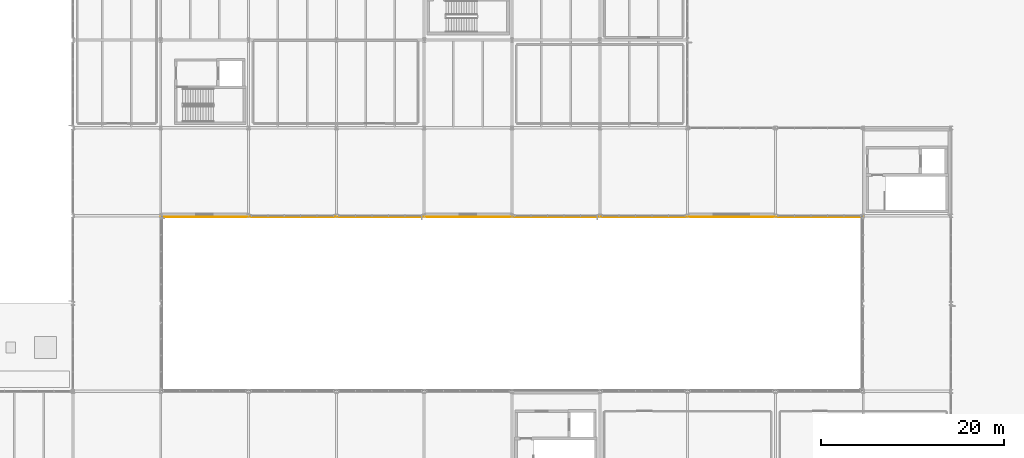
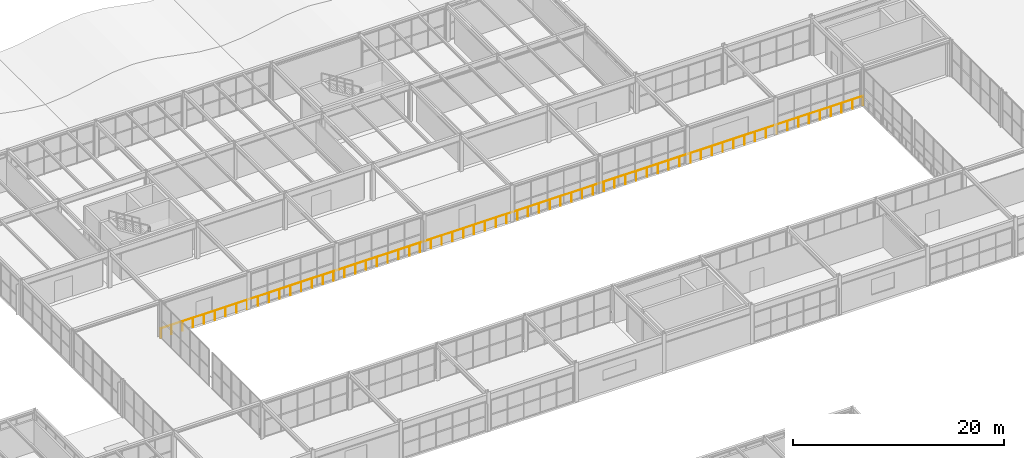
# One storey, part 166 of 170: 1 railing.
"""IFC4 building model written with IfcOpenShell, lengths in metres."""

from ifc_helpers import new_model, si_unit, direction, frame, origin, origin_2d, place, context, subcontext, project, spatial, circle, extrude, material, type_object, element, save


model = new_model("IFC4")

# Units and contexts
model_context = context("Model", 3, precision=1e-05, world=origin(), true_north=direction((0.0, 1.0)))
body_context = subcontext(model_context, "Body", "Model", "MODEL_VIEW")
ifc_project = project(units=[si_unit("LENGTHUNIT", "METRE"), si_unit("AREAUNIT", "SQUARE_METRE"), si_unit("VOLUMEUNIT", "CUBIC_METRE"), si_unit("PLANEANGLEUNIT", "RADIAN"), si_unit("MASSUNIT", "GRAM", prefix="KILO")], contexts=[model_context])

# Site, building, storey
site_placement = place(None, origin())
site = spatial("IfcSite", under=ifc_project, at=site_placement, CompositionType="ELEMENT")
building_placement = place(site_placement, origin())
building = spatial("IfcBuilding", under=site, at=building_placement, Name="Coralgate Yard Interchange", CompositionType="ELEMENT")
storey_placement = place(building_placement, frame((0.0, 0.0, 6.0)))
storey = spatial("IfcBuildingStorey", under=building, at=storey_placement, Name="L01", CompositionType="ELEMENT", Elevation=6.0)

# Railing
ifc_material = material(Name="Grade 316 marine stainless steel and toughened glass balustrade", Category="steel")
railing_type = type_object("IfcRailingType", Name="RLG-GD1100", PredefinedType="BALUSTRADE", material=ifc_material)
railing_placement = place(storey_placement, frame((48.0, 67.080078125, 0.0)))
element("IfcRailing", 1, at=railing_placement, inside=storey, type_object=railing_type, Name="L01 concourse mezzanine north balustrade", PredefinedType="BALUSTRADE", context=body_context, shape_type="SweptSolid", body=[
    extrude(circle(Radius=0.02392578125, at=origin_2d()), frame((0.0, 0.0, 1.0810546875), z_axis=(1.0, 0.0, 0.0), x_axis=(0.0, 1.0, 0.0)), (0.0, 0.0, 1.0), 76.800048828125),
    extrude(circle(Radius=0.02099609375, at=origin_2d()), origin(), (0.0, 0.0, 1.0), 1.056396484375),
    extrude(circle(Radius=0.02099609375, at=origin_2d()), frame((1.181640625, 0.0, 0.0)), (0.0, 0.0, 1.0), 1.056396484375),
    extrude(circle(Radius=0.02099609375, at=origin_2d()), frame((2.363037109375, 0.0, 0.0)), (0.0, 0.0, 1.0), 1.056396484375),
    extrude(circle(Radius=0.02099609375, at=origin_2d()), frame((3.544677734375, 0.0, 0.0)), (0.0, 0.0, 1.0), 1.056396484375),
    extrude(circle(Radius=0.02099609375, at=origin_2d()), frame((4.72607421875, 0.0, 0.0)), (0.0, 0.0, 1.0), 1.056396484375),
    extrude(circle(Radius=0.02099609375, at=origin_2d()), frame((5.90771484375, 0.0, 0.0)), (0.0, 0.0, 1.0), 1.056396484375),
    extrude(circle(Radius=0.02099609375, at=origin_2d()), frame((7.08935546875, 0.0, 0.0)), (0.0, 0.0, 1.0), 1.056396484375),
    extrude(circle(Radius=0.02099609375, at=origin_2d()), frame((8.270751953125, 0.0, 0.0)), (0.0, 0.0, 1.0), 1.056396484375),
    extrude(circle(Radius=0.02099609375, at=origin_2d()), frame((9.452392578125, 0.0, 0.0)), (0.0, 0.0, 1.0), 1.056396484375),
    extrude(circle(Radius=0.02099609375, at=origin_2d()), frame((10.6337890625, 0.0, 0.0)), (0.0, 0.0, 1.0), 1.056396484375),
    extrude(circle(Radius=0.02099609375, at=origin_2d()), frame((11.8154296875, 0.0, 0.0)), (0.0, 0.0, 1.0), 1.056396484375),
    extrude(circle(Radius=0.02099609375, at=origin_2d()), frame((12.996826171875, 0.0, 0.0)), (0.0, 0.0, 1.0), 1.056396484375),
    extrude(circle(Radius=0.02099609375, at=origin_2d()), frame((14.178466796875, 0.0, 0.0)), (0.0, 0.0, 1.0), 1.056396484375),
    extrude(circle(Radius=0.02099609375, at=origin_2d()), frame((15.360107421875, 0.0, 0.0)), (0.0, 0.0, 1.0), 1.056396484375),
    extrude(circle(Radius=0.02099609375, at=origin_2d()), frame((16.54150390625, 0.0, 0.0)), (0.0, 0.0, 1.0), 1.056396484375),
    extrude(circle(Radius=0.02099609375, at=origin_2d()), frame((17.72314453125, 0.0, 0.0)), (0.0, 0.0, 1.0), 1.056396484375),
    extrude(circle(Radius=0.02099609375, at=origin_2d()), frame((18.904541015625, 0.0, 0.0)), (0.0, 0.0, 1.0), 1.056396484375),
    extrude(circle(Radius=0.02099609375, at=origin_2d()), frame((20.086181640625, 0.0, 0.0)), (0.0, 0.0, 1.0), 1.056396484375),
    extrude(circle(Radius=0.02099609375, at=origin_2d()), frame((21.267822265625, 0.0, 0.0)), (0.0, 0.0, 1.0), 1.056396484375),
    extrude(circle(Radius=0.02099609375, at=origin_2d()), frame((22.44921875, 0.0, 0.0)), (0.0, 0.0, 1.0), 1.056396484375),
    extrude(circle(Radius=0.02099609375, at=origin_2d()), frame((23.630859375, 0.0, 0.0)), (0.0, 0.0, 1.0), 1.056396484375),
    extrude(circle(Radius=0.02099609375, at=origin_2d()), frame((24.812255859375, 0.0, 0.0)), (0.0, 0.0, 1.0), 1.056396484375),
    extrude(circle(Radius=0.02099609375, at=origin_2d()), frame((25.993896484375, 0.0, 0.0)), (0.0, 0.0, 1.0), 1.056396484375),
    extrude(circle(Radius=0.02099609375, at=origin_2d()), frame((27.17529296875, 0.0, 0.0)), (0.0, 0.0, 1.0), 1.056396484375),
    extrude(circle(Radius=0.02099609375, at=origin_2d()), frame((28.35693359375, 0.0, 0.0)), (0.0, 0.0, 1.0), 1.056396484375),
    extrude(circle(Radius=0.02099609375, at=origin_2d()), frame((29.53857421875, 0.0, 0.0)), (0.0, 0.0, 1.0), 1.056396484375),
    extrude(circle(Radius=0.02099609375, at=origin_2d()), frame((30.719970703125, 0.0, 0.0)), (0.0, 0.0, 1.0), 1.056396484375),
    extrude(circle(Radius=0.02099609375, at=origin_2d()), frame((31.901611328125, 0.0, 0.0)), (0.0, 0.0, 1.0), 1.056396484375),
    extrude(circle(Radius=0.02099609375, at=origin_2d()), frame((33.0830078125, 0.0, 0.0)), (0.0, 0.0, 1.0), 1.056396484375),
    extrude(circle(Radius=0.02099609375, at=origin_2d()), frame((34.2646484375, 0.0, 0.0)), (0.0, 0.0, 1.0), 1.056396484375),
    extrude(circle(Radius=0.02099609375, at=origin_2d()), frame((35.4462890625, 0.0, 0.0)), (0.0, 0.0, 1.0), 1.056396484375),
    extrude(circle(Radius=0.02099609375, at=origin_2d()), frame((36.627685546875, 0.0, 0.0)), (0.0, 0.0, 1.0), 1.056396484375),
    extrude(circle(Radius=0.02099609375, at=origin_2d()), frame((37.809326171875, 0.0, 0.0)), (0.0, 0.0, 1.0), 1.056396484375),
    extrude(circle(Radius=0.02099609375, at=origin_2d()), frame((38.99072265625, 0.0, 0.0)), (0.0, 0.0, 1.0), 1.056396484375),
    extrude(circle(Radius=0.02099609375, at=origin_2d()), frame((40.17236328125, 0.0, 0.0)), (0.0, 0.0, 1.0), 1.056396484375),
    extrude(circle(Radius=0.02099609375, at=origin_2d()), frame((41.353759765625, 0.0, 0.0)), (0.0, 0.0, 1.0), 1.056396484375),
    extrude(circle(Radius=0.02099609375, at=origin_2d()), frame((42.535400390625, 0.0, 0.0)), (0.0, 0.0, 1.0), 1.056396484375),
    extrude(circle(Radius=0.02099609375, at=origin_2d()), frame((43.717041015625, 0.0, 0.0)), (0.0, 0.0, 1.0), 1.056396484375),
    extrude(circle(Radius=0.02099609375, at=origin_2d()), frame((44.8984375, 0.0, 0.0)), (0.0, 0.0, 1.0), 1.056396484375),
    extrude(circle(Radius=0.02099609375, at=origin_2d()), frame((46.080078125, 0.0, 0.0)), (0.0, 0.0, 1.0), 1.056396484375),
    extrude(circle(Radius=0.02099609375, at=origin_2d()), frame((47.261474609375, 0.0, 0.0)), (0.0, 0.0, 1.0), 1.056396484375),
    extrude(circle(Radius=0.02099609375, at=origin_2d()), frame((48.443115234375, 0.0, 0.0)), (0.0, 0.0, 1.0), 1.056396484375),
    extrude(circle(Radius=0.02099609375, at=origin_2d()), frame((49.624755859375, 0.0, 0.0)), (0.0, 0.0, 1.0), 1.056396484375),
    extrude(circle(Radius=0.02099609375, at=origin_2d()), frame((50.80615234375, 0.0, 0.0)), (0.0, 0.0, 1.0), 1.056396484375),
    extrude(circle(Radius=0.02099609375, at=origin_2d()), frame((51.98779296875, 0.0, 0.0)), (0.0, 0.0, 1.0), 1.056396484375),
    extrude(circle(Radius=0.02099609375, at=origin_2d()), frame((53.169189453125, 0.0, 0.0)), (0.0, 0.0, 1.0), 1.056396484375),
    extrude(circle(Radius=0.02099609375, at=origin_2d()), frame((54.350830078125, 0.0, 0.0)), (0.0, 0.0, 1.0), 1.056396484375),
    extrude(circle(Radius=0.02099609375, at=origin_2d()), frame((55.5322265625, 0.0, 0.0)), (0.0, 0.0, 1.0), 1.056396484375),
    extrude(circle(Radius=0.02099609375, at=origin_2d()), frame((56.7138671875, 0.0, 0.0)), (0.0, 0.0, 1.0), 1.056396484375),
    extrude(circle(Radius=0.02099609375, at=origin_2d()), frame((57.8955078125, 0.0, 0.0)), (0.0, 0.0, 1.0), 1.056396484375),
    extrude(circle(Radius=0.02099609375, at=origin_2d()), frame((59.076904296875, 0.0, 0.0)), (0.0, 0.0, 1.0), 1.056396484375),
    extrude(circle(Radius=0.02099609375, at=origin_2d()), frame((60.258544921875, 0.0, 0.0)), (0.0, 0.0, 1.0), 1.056396484375),
    extrude(circle(Radius=0.02099609375, at=origin_2d()), frame((61.43994140625, 0.0, 0.0)), (0.0, 0.0, 1.0), 1.056396484375),
    extrude(circle(Radius=0.02099609375, at=origin_2d()), frame((62.62158203125, 0.0, 0.0)), (0.0, 0.0, 1.0), 1.056396484375),
    extrude(circle(Radius=0.02099609375, at=origin_2d()), frame((63.80322265625, 0.0, 0.0)), (0.0, 0.0, 1.0), 1.056396484375),
    extrude(circle(Radius=0.02099609375, at=origin_2d()), frame((64.984619140625, 0.0, 0.0)), (0.0, 0.0, 1.0), 1.056396484375),
    extrude(circle(Radius=0.02099609375, at=origin_2d()), frame((66.166259765625, 0.0, 0.0)), (0.0, 0.0, 1.0), 1.056396484375),
    extrude(circle(Radius=0.02099609375, at=origin_2d()), frame((67.34765625, 0.0, 0.0)), (0.0, 0.0, 1.0), 1.056396484375),
    extrude(circle(Radius=0.02099609375, at=origin_2d()), frame((68.529296875, 0.0, 0.0)), (0.0, 0.0, 1.0), 1.056396484375),
    extrude(circle(Radius=0.02099609375, at=origin_2d()), frame((69.710693359375, 0.0, 0.0)), (0.0, 0.0, 1.0), 1.056396484375),
    extrude(circle(Radius=0.02099609375, at=origin_2d()), frame((70.892333984375, 0.0, 0.0)), (0.0, 0.0, 1.0), 1.056396484375),
    extrude(circle(Radius=0.02099609375, at=origin_2d()), frame((72.073974609375, 0.0, 0.0)), (0.0, 0.0, 1.0), 1.056396484375),
    extrude(circle(Radius=0.02099609375, at=origin_2d()), frame((73.25537109375, 0.0, 0.0)), (0.0, 0.0, 1.0), 1.056396484375),
    extrude(circle(Radius=0.02099609375, at=origin_2d()), frame((74.43701171875, 0.0, 0.0)), (0.0, 0.0, 1.0), 1.056396484375),
    extrude(circle(Radius=0.02099609375, at=origin_2d()), frame((75.618408203125, 0.0, 0.0)), (0.0, 0.0, 1.0), 1.056396484375),
    extrude(circle(Radius=0.02099609375, at=origin_2d()), frame((76.800048828125, 0.0, 0.0)), (0.0, 0.0, 1.0), 1.056396484375),
])

save(model, "model.ifc")
